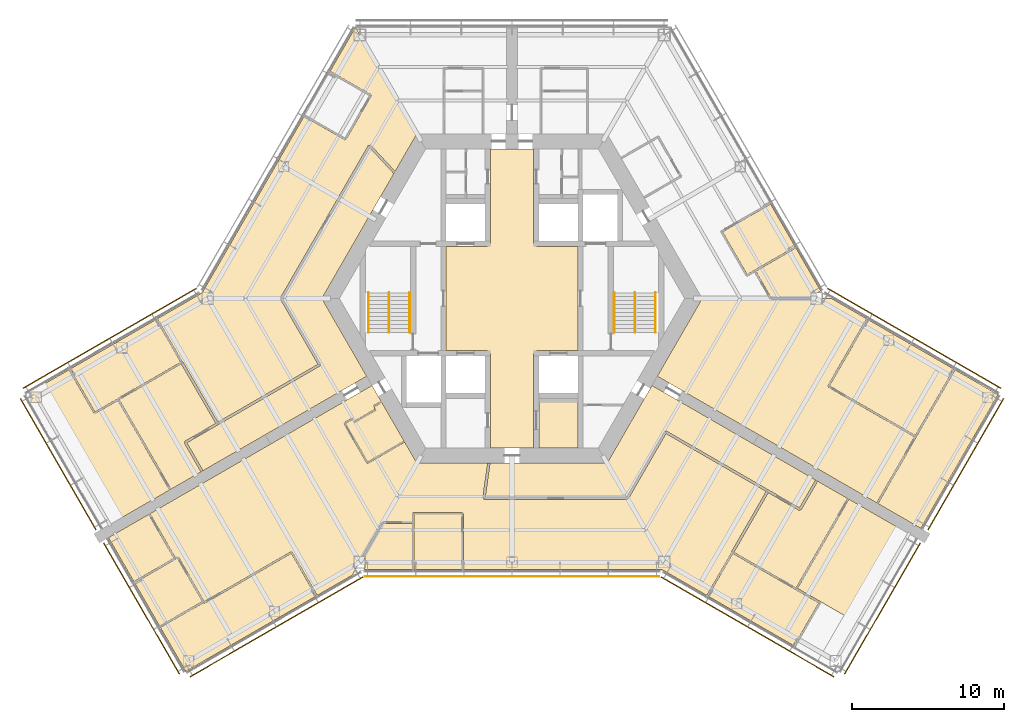
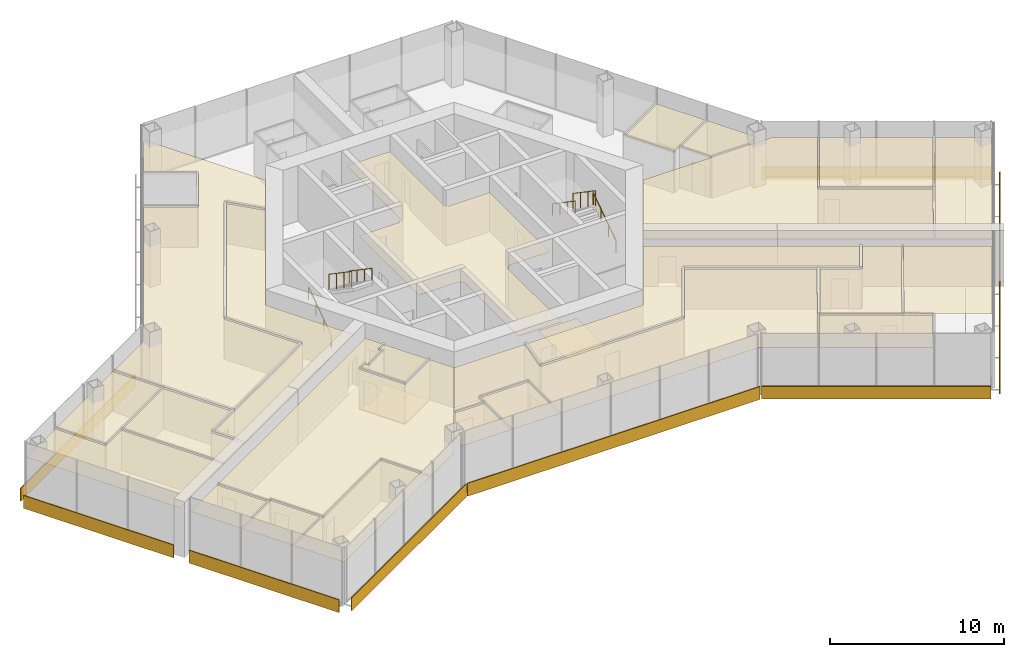
# One storey, part 17 of 18: 25 coverings, 9 shading devices, 6 railings.
"""IFC4 building model written with IfcOpenShell, lengths in metres."""

import ifcopenshell
import ifcopenshell.guid

model = None  # the IFC model being written
_history = None  # IfcOwnerHistory: only IFC2X3 demands one
_inside = {}  # id of a spatial element -> (the spatial element, [elements in it])
_under = {}  # id of a project, library or spatial element -> (it, [spatial elements below it])
_declared = {}  # id of a project -> (the project, [libraries it declares])
_typed = {}  # id of a type object -> (the type object, [elements of that type])
_made_of = {}  # id of a material, layer set ... -> (it, [elements and type objects made of it])


def new_model(schema):
    """Start an empty IFC model of exactly this schema.

    Asked for "IFC4X3", IfcOpenShell would pick the latest addendum, in which some entities
    have other attributes; the version numbers below select the first issue.
    IFC2X3 requires an IfcOwnerHistory on every rooted entity: one is made here for all.
    """
    global model, _history
    if schema == "IFC4X3":
        model = ifcopenshell.file(schema_version=(4, 3, 0, 0))
    else:
        model = ifcopenshell.file(schema=schema)
    _inside.clear()
    _under.clear()
    _declared.clear()
    _typed.clear()
    _made_of.clear()
    _history = None
    if model.schema == "IFC2X3":
        org = make("IfcOrganization", Name="unknown")
        user = make(
            "IfcPersonAndOrganization",
            ThePerson=make("IfcPerson", FamilyName="unknown"),
            TheOrganization=org,
        )
        app = make(
            "IfcApplication",
            ApplicationDeveloper=org,
            Version="unknown",
            ApplicationFullName="unknown",
            ApplicationIdentifier="unknown",
        )
        _history = make(
            "IfcOwnerHistory",
            OwningUser=user,
            OwningApplication=app,
            ChangeAction="ADDED",
            CreationDate=0,
        )
    return model


def make(cls, **values):
    """One entity of the class cls with the attributes given. An attribute that is None is left unset."""
    return model.create_entity(
        cls, **{name: value for name, value in values.items() if value is not None}
    )


def rooted(cls, **values):
    """An entity with a GlobalId (a new one), such as an element, a storey or a relation."""
    return make(cls, GlobalId=ifcopenshell.guid.new(), OwnerHistory=_history, **values)


def si_unit(unit_type, name, prefix=None):
    """IfcSIUnit, for example si_unit("LENGTHUNIT", "METRE", prefix="MILLI")."""
    return make("IfcSIUnit", UnitType=unit_type, Prefix=prefix, Name=name)


def assignment(units):
    """IfcUnitAssignment: the units of a project."""
    return None if units is None else make("IfcUnitAssignment", Units=units)


def point(xyz):
    """IfcCartesianPoint."""
    return None if xyz is None else make("IfcCartesianPoint", Coordinates=xyz)


def direction(xyz):
    """IfcDirection."""
    return None if xyz is None else make("IfcDirection", DirectionRatios=xyz)


def frame(location, z_axis=None, x_axis=None):
    """IfcAxis2Placement3D, a coordinate frame: its origin and axes. An axis left out is left unset."""
    return make(
        "IfcAxis2Placement3D",
        Location=point(location),
        Axis=direction(z_axis),
        RefDirection=direction(x_axis),
    )


def frame_2d(location, x_axis=None):
    """IfcAxis2Placement2D, a coordinate frame in the plane: its origin and x axis."""
    return make(
        "IfcAxis2Placement2D", Location=point(location), RefDirection=direction(x_axis)
    )


def origin():
    """The frame at (0, 0, 0) with its axes left unset."""
    return frame((0.0, 0.0, 0.0))


def origin_2d():
    """The frame at (0, 0) in the plane with its x axis left unset."""
    return frame_2d((0.0, 0.0))


def place(relative_to, where):
    """IfcLocalPlacement: puts the frame where relative to a parent placement (None: the world)."""
    return make(
        "IfcLocalPlacement", PlacementRelTo=relative_to, RelativePlacement=where
    )


def context(
    kind, dimensions, precision=None, world=None, true_north=None, identifier=None
):
    """IfcGeometricRepresentationContext, for example the 3D "Model" context."""
    return make(
        "IfcGeometricRepresentationContext",
        ContextIdentifier=identifier,
        ContextType=kind,
        CoordinateSpaceDimension=dimensions,
        Precision=precision,
        WorldCoordinateSystem=world,
        TrueNorth=true_north,
    )


def subcontext(parent, identifier, kind, view, scale=None):
    """IfcGeometricRepresentationSubContext, for example "Body" below "Model"."""
    return make(
        "IfcGeometricRepresentationSubContext",
        ContextIdentifier=identifier,
        ContextType=kind,
        ParentContext=parent,
        TargetScale=scale,
        TargetView=view,
    )


def project(units=None, contexts=None):
    """IfcProject with its units and contexts."""
    return rooted(
        "IfcProject",
        Name="project",
        RepresentationContexts=contexts,
        UnitsInContext=assignment(units),
    )


def spatial(cls, under=None, at=None, **own):
    """A site, building, storey or space (cls), placed at a placement, below another one or the project."""
    s = rooted(cls, ObjectPlacement=at, **own)
    if under is not None:
        _under.setdefault(under.id(), (under, []))[1].append(s)
    return s


def polyline(points):
    """IfcPolyline through the points."""
    return make("IfcPolyline", Points=[point(p) for p in points])


def profile(cls, at=None, kind="AREA", **sizes):
    """A parametric profile (cls). Its sizes go by their IFC names, for example OverallWidth=200.0."""
    return make(cls, ProfileType=kind, Position=at, **sizes)


def rectangle(**sizes):
    """IfcRectangleProfileDef."""
    return profile("IfcRectangleProfileDef", **sizes)


def circle(**sizes):
    """IfcCircleProfileDef."""
    return profile("IfcCircleProfileDef", **sizes)


def outline(outer, holes=None, kind="AREA"):
    """IfcArbitraryClosedProfileDef: a profile drawn as a closed curve; with holes, ...WithVoids."""
    if holes is None:
        return make("IfcArbitraryClosedProfileDef", ProfileType=kind, OuterCurve=outer)
    return make(
        "IfcArbitraryProfileDefWithVoids",
        ProfileType=kind,
        OuterCurve=outer,
        InnerCurves=holes,
    )


def extrude(swept, where, along, depth):
    """IfcExtrudedAreaSolid: the profile swept, set in the frame where, extruded along a direction by depth."""
    return make(
        "IfcExtrudedAreaSolid",
        SweptArea=swept,
        Position=where,
        ExtrudedDirection=direction(along),
        Depth=depth,
    )


def shape(context_of_items, identifier, shape_type, items):
    """IfcShapeRepresentation: the items that make up one representation, for example the "Body"."""
    return make(
        "IfcShapeRepresentation",
        ContextOfItems=context_of_items,
        RepresentationIdentifier=identifier,
        RepresentationType=shape_type,
        Items=items,
    )


def material(Name=None, Category=None):
    """IfcMaterial."""
    return make("IfcMaterial", Name=Name, Category=Category)


def layer(
    of_material, thickness, ventilated=None, Name=None, Category=None, Priority=None
):
    """IfcMaterialLayer: one layer of a wall or slab, of a material (None: an air gap)."""
    return make(
        "IfcMaterialLayer",
        Material=of_material,
        LayerThickness=thickness,
        IsVentilated=ventilated,
        Name=Name,
        Category=Category,
        Priority=Priority,
    )


def layer_set(layers, Name=None):
    """IfcMaterialLayerSet."""
    return make("IfcMaterialLayerSet", MaterialLayers=layers, LayerSetName=Name)


def made_of(thing, what):
    """Note that an element or type object is made of a material, layer set ...; save() writes the relation."""
    if what is not None:
        _made_of.setdefault(what.id(), (what, []))[1].append(thing)
    return thing


def type_object(cls, material=None, **own):
    """A type object (cls), such as IfcWallType, which elements share."""
    return made_of(rooted(cls, **own), material)


def element(
    cls,
    number,
    at=None,
    inside=None,
    cuts=None,
    type_object=None,
    material=None,
    context=None,
    identifier="Body",
    shape_type=None,
    held_by="IfcProductDefinitionShape",
    body=None,
    shapes=None,
    **own,
):
    """One element of the class cls, such as IfcWall. Its Tag is "e" and its number.

    at: its placement. inside: the storey or other place that contains it. cuts: it is an
    opening in that element (IfcRelVoidsElement). A single representation is given by context,
    identifier, shape_type and body (its items); several are given by shapes. held_by: the class
    of the entity that holds the representations. save() writes the other relations.
    """
    e = rooted(cls, Tag="e%d" % number, ObjectPlacement=at, **own)
    if body is not None:
        shapes = [shape(context, identifier, shape_type, body)]
    if shapes is not None:
        e.Representation = make(held_by, Representations=shapes)
    if inside is not None:
        _inside.setdefault(inside.id(), (inside, []))[1].append(e)
    if cuts is not None:
        rooted(
            "IfcRelVoidsElement", RelatingBuildingElement=cuts, RelatedOpeningElement=e
        )
    if type_object is not None:
        _typed.setdefault(type_object.id(), (type_object, []))[1].append(e)
    return made_of(e, material)


def aggregate(whole, parts):
    """IfcRelAggregates: a whole, such as a stair, and the parts it consists of."""
    return rooted("IfcRelAggregates", RelatingObject=whole, RelatedObjects=parts)


def save(model, path):
    """Write the relations noted so far, then the file.

    IfcRelAggregates (storeys below a building ...), IfcRelContainedInSpatialStructure (elements
    in a storey), IfcRelDefinesByType, IfcRelAssociatesMaterial and IfcRelDeclares: one each for
    every whole, place, type object, material and project.
    """
    for whole, parts in _under.values():
        aggregate(whole, parts)
    for where, things in _inside.values():
        rooted(
            "IfcRelContainedInSpatialStructure",
            RelatedElements=things,
            RelatingStructure=where,
        )
    for kind, things in _typed.values():
        rooted("IfcRelDefinesByType", RelatedObjects=things, RelatingType=kind)
    for what, things in _made_of.values():
        rooted("IfcRelAssociatesMaterial", RelatedObjects=things, RelatingMaterial=what)
    for by, libraries in _declared.values():
        rooted("IfcRelDeclares", RelatingContext=by, RelatedDefinitions=libraries)
    model.write(path)


model = new_model("IFC4")

# Units and contexts
model_context = context("Model", 3, precision=1e-05, world=origin(), true_north=direction((0.0, 1.0)))
body_context = subcontext(model_context, "Body", "Model", "MODEL_VIEW")
ifc_project = project(units=[si_unit("LENGTHUNIT", "METRE"), si_unit("AREAUNIT", "SQUARE_METRE"), si_unit("VOLUMEUNIT", "CUBIC_METRE"), si_unit("PLANEANGLEUNIT", "RADIAN"), si_unit("MASSUNIT", "GRAM", prefix="KILO")], contexts=[model_context])

# Site, building, storey
site_placement = place(None, origin())
site = spatial("IfcSite", under=ifc_project, at=site_placement, CompositionType="ELEMENT")
building_placement = place(site_placement, origin())
building = spatial("IfcBuilding", under=site, at=building_placement, Name="Kasaneha Research Tower", CompositionType="ELEMENT")
storey_placement = place(building_placement, frame((0.0, 0.0, 195.5)))
storey = spatial("IfcBuildingStorey", under=building, at=storey_placement, Name="L49", CompositionType="ELEMENT", Elevation=195.5)

# Covering
ifc_material_1 = material(Name="Aluminium panel ceiling", Category="aluminium")
ifc_layer_1 = layer(ifc_material_1, 0.0400390625)
ifc_layer_set_1 = layer_set([ifc_layer_1], Name="Lift lobby ceiling 40")
covering_type_1 = type_object("IfcCoveringType", Name="Lift lobby ceiling 40", PredefinedType="CEILING", material=ifc_layer_set_1)
covering_1_placement = place(storey_placement, frame((0.0, 0.0, 2.699951171875)))
element("IfcCovering", 1, at=covering_1_placement, inside=storey, type_object=covering_type_1, Name="Ceiling L49-01", PredefinedType="CEILING", context=body_context, shape_type="SweptSolid", body=[
    extrude(outline(polyline([(1.425048828125, 9.824951171875), (1.425048828125, 3.60009765625), (1.60009765625, 3.60009765625), (1.60009765625, 3.425048828125), (4.324951171875, 3.425048828125), (4.324951171875, -3.425048828125), (1.60009765625, -3.425048828125), (1.60009765625, -3.60009765625), (1.425048828125, -3.60009765625), (1.425048828125, -9.824951171875), (-1.425048828125, -9.824951171875), (-1.425048828125, -3.60009765625), (-1.60009765625, -3.60009765625), (-1.60009765625, -3.425048828125), (-4.324951171875, -3.425048828125), (-4.324951171875, 3.425048828125), (-1.60009765625, 3.425048828125), (-1.60009765625, 3.60009765625), (-1.425048828125, 3.60009765625), (-1.425048828125, 9.824951171875), (1.425048828125, 9.824951171875)])), origin(), (0.0, 0.0, 1.0), 0.0400390625),
])

# Railings
ifc_material_2 = material(Name="Steel", Category="steel")
railing_type_1 = type_object("IfcRailingType", Name="Stair balustrade 1100", PredefinedType="GUARDRAIL", material=ifc_material_2)
for number, where, name in (
    (2, (8.074951171875, 0.375, 2.127197265625), "Stair 1 balustrade L49"),
    (3, (-8.074951171875, 0.375, 2.127197265625), "Stair 2 balustrade L49"),
):
    element("IfcRailing", number, at=place(storey_placement, frame(where)), inside=storey, type_object=railing_type_1, Name=name, PredefinedType="GUARDRAIL", context=body_context, shape_type="SweptSolid", body=[
        extrude(circle(Radius=0.02392578125, at=origin_2d()), frame((0.0, 0.0, 1.076171875), z_axis=(0.0, -0.826240473404, 0.563317565952), x_axis=(1.0, 0.0, 0.0)), (0.0, 0.0, 1.0), 3.14697265625),
        extrude(circle(Radius=0.02099609375, at=origin_2d()), origin(), (0.0, 0.0, 1.0), 1.052001953125),
        extrude(circle(Radius=0.02099609375, at=origin_2d()), frame((0.0, -0.86669921875, 0.5908203125)), (0.0, 0.0, 1.0), 1.052001953125),
        extrude(circle(Radius=0.02099609375, at=origin_2d()), frame((0.0, -1.7333984375, 1.181884765625)), (0.0, 0.0, 1.0), 1.052001953125),
        extrude(circle(Radius=0.02099609375, at=origin_2d()), frame((0.0, -2.60009765625, 1.772705078125)), (0.0, 0.0, 1.0), 1.052001953125),
    ])
ifc_material_3 = material(Name="Steel", Category="steel")
railing_type_2 = type_object("IfcRailingType", Name="Stair handrail 850", PredefinedType="HANDRAIL", material=ifc_material_3)
railing_1_placement = place(storey_placement, frame((9.425048828125, -2.22509765625, 0.17724609375)))
element("IfcRailing", 4, at=railing_1_placement, inside=storey, type_object=railing_type_2, Name="Stair 1 handrail L49", PredefinedType="HANDRAIL", context=body_context, shape_type="SweptSolid", body=[
    extrude(circle(Radius=0.02392578125, at=origin_2d()), frame((0.0, 0.0, 0.826171875), z_axis=(0.0, 0.826240473404, 0.563317565952), x_axis=(-1.0, 0.0, 0.0)), (0.0, 0.0, 1.0), 3.14697265625),
    extrude(circle(Radius=0.02099609375, at=origin_2d()), origin(), (0.0, 0.0, 1.0), 0.802001953125),
    extrude(circle(Radius=0.02099609375, at=origin_2d()), frame((0.0, 0.86669921875, 0.5908203125)), (0.0, 0.0, 1.0), 0.802001953125),
    extrude(circle(Radius=0.02099609375, at=origin_2d()), frame((0.0, 1.7333984375, 1.181884765625)), (0.0, 0.0, 1.0), 0.802001953125),
    extrude(circle(Radius=0.02099609375, at=origin_2d()), frame((0.0, 2.60009765625, 1.772705078125)), (0.0, 0.0, 1.0), 0.802001953125),
])
railing_2_placement = place(storey_placement, frame((6.72509765625, 0.375, 2.127197265625)))
element("IfcRailing", 5, at=railing_2_placement, inside=storey, type_object=railing_type_2, Name="Stair 1 handrail L49", PredefinedType="HANDRAIL", context=body_context, shape_type="SweptSolid", body=[
    extrude(circle(Radius=0.02392578125, at=origin_2d()), frame((0.0, 0.0, 0.826171875), z_axis=(0.0, -0.826240473404, 0.563317565952), x_axis=(1.0, 0.0, 0.0)), (0.0, 0.0, 1.0), 3.14697265625),
    extrude(circle(Radius=0.02099609375, at=origin_2d()), origin(), (0.0, 0.0, 1.0), 0.802001953125),
    extrude(circle(Radius=0.02099609375, at=origin_2d()), frame((0.0, -0.86669921875, 0.5908203125)), (0.0, 0.0, 1.0), 0.802001953125),
    extrude(circle(Radius=0.02099609375, at=origin_2d()), frame((0.0, -1.7333984375, 1.181884765625)), (0.0, 0.0, 1.0), 0.802001953125),
    extrude(circle(Radius=0.02099609375, at=origin_2d()), frame((0.0, -2.60009765625, 1.772705078125)), (0.0, 0.0, 1.0), 0.802001953125),
])
railing_3_placement = place(storey_placement, frame((-9.425048828125, -2.22509765625, 0.17724609375)))
element("IfcRailing", 6, at=railing_3_placement, inside=storey, type_object=railing_type_2, Name="Stair 2 handrail L49", PredefinedType="HANDRAIL", context=body_context, shape_type="SweptSolid", body=[
    extrude(circle(Radius=0.02392578125, at=origin_2d()), frame((0.0, 0.0, 0.826171875), z_axis=(0.0, 0.826240473404, 0.563317565952), x_axis=(-1.0, 0.0, 0.0)), (0.0, 0.0, 1.0), 3.14697265625),
    extrude(circle(Radius=0.02099609375, at=origin_2d()), origin(), (0.0, 0.0, 1.0), 0.802001953125),
    extrude(circle(Radius=0.02099609375, at=origin_2d()), frame((0.0, 0.86669921875, 0.5908203125)), (0.0, 0.0, 1.0), 0.802001953125),
    extrude(circle(Radius=0.02099609375, at=origin_2d()), frame((0.0, 1.7333984375, 1.181884765625)), (0.0, 0.0, 1.0), 0.802001953125),
    extrude(circle(Radius=0.02099609375, at=origin_2d()), frame((0.0, 2.60009765625, 1.772705078125)), (0.0, 0.0, 1.0), 0.802001953125),
])
railing_4_placement = place(storey_placement, frame((-6.72509765625, 0.375, 2.127197265625)))
element("IfcRailing", 7, at=railing_4_placement, inside=storey, type_object=railing_type_2, Name="Stair 2 handrail L49", PredefinedType="HANDRAIL", context=body_context, shape_type="SweptSolid", body=[
    extrude(circle(Radius=0.02392578125, at=origin_2d()), frame((0.0, 0.0, 0.826171875), z_axis=(0.0, -0.826240473404, 0.563317565952), x_axis=(1.0, 0.0, 0.0)), (0.0, 0.0, 1.0), 3.14697265625),
    extrude(circle(Radius=0.02099609375, at=origin_2d()), origin(), (0.0, 0.0, 1.0), 0.802001953125),
    extrude(circle(Radius=0.02099609375, at=origin_2d()), frame((0.0, -0.86669921875, 0.5908203125)), (0.0, 0.0, 1.0), 0.802001953125),
    extrude(circle(Radius=0.02099609375, at=origin_2d()), frame((0.0, -1.7333984375, 1.181884765625)), (0.0, 0.0, 1.0), 0.802001953125),
    extrude(circle(Radius=0.02099609375, at=origin_2d()), frame((0.0, -2.60009765625, 1.772705078125)), (0.0, 0.0, 1.0), 0.802001953125),
])

# Coverings
ifc_material_4 = material(Name="Gypsum ceiling board", Category="gypsum")
ifc_layer_2 = layer(ifc_material_4, 0.02001953125)
ifc_layer_set_2 = layer_set([ifc_layer_2], Name="Suspended ceiling 20")
covering_type_2 = type_object("IfcCoveringType", Name="Suspended ceiling 20", PredefinedType="CEILING", material=ifc_layer_set_2)
covering_2_placement = place(storey_placement, frame((0.0, 0.0, 2.800048828125)))
element("IfcCovering", 8, at=covering_2_placement, inside=storey, type_object=covering_type_2, Name="Ceiling L49-30", PredefinedType="CEILING", context=body_context, shape_type="SweptSolid", body=[
    extrude(outline(polyline([(18.63720703125, 3.360595703125), (18.619873046875, 3.3505859375), (18.5947265625, 3.393798828125), (15.923095703125, 1.851318359375), (15.923095703125, 1.851318359375), (15.451171875, 1.578857421875), (13.835693359375, 4.376953125), (16.99658203125, 6.201904296875), (18.63720703125, 3.360595703125)])), origin(), (0.0, 0.0, 1.0), 0.02001953125),
])
covering_3_placement = place(storey_placement, frame((0.0, 0.0, 2.800048828125)))
element("IfcCovering", 9, at=covering_3_placement, inside=storey, type_object=covering_type_2, Name="Ceiling L49-31", PredefinedType="CEILING", context=body_context, shape_type="SweptSolid", body=[
    extrude(outline(polyline([(16.997802734375, 0.0), (16.986328125, 0.02001953125), (17.029541015625, 0.044921875), (16.024658203125, 1.79443359375), (18.644775390625, 3.30712890625), (18.619873046875, 3.3505859375), (18.63720703125, 3.360595703125), (20.28759765625, 0.501708984375), (19.41845703125, 0.0), (16.997802734375, 0.0)])), origin(), (0.0, 0.0, 1.0), 0.02001953125),
])
covering_4_placement = place(storey_placement, frame((0.0, 0.0, 2.800048828125)))
element("IfcCovering", 10, at=covering_4_placement, inside=storey, type_object=covering_type_2, Name="Ceiling L49-36", PredefinedType="CEILING", context=body_context, shape_type="SweptSolid", body=[
    extrude(outline(polyline([(-9.5498046875, -5.109375), (-10.3291015625, -5.559326171875), (-10.3291015625, -5.559326171875), (-20.37109375, -11.357177734375), (-20.381103515625, -11.33984375), (-20.316162109375, -11.30224609375), (-21.36865234375, -9.479248046875), (-19.333984375, -8.3046875), (-19.333984375, -8.3046875), (-12.60400390625, -4.4189453125), (-12.6416015625, -4.35400390625), (-12.57666015625, -4.316650390625), (-15.06884765625, 0.0), (-9.345947265625, 9.912353515625), (-7.7890625, 8.24267578125), (-7.734130859375, 8.2939453125), (-7.719970703125, 8.278564453125), (-12.49951171875, 0.0), (-9.5498046875, -5.109375)])), origin(), (0.0, 0.0, 1.0), 0.02001953125),
])
covering_5_placement = place(storey_placement, frame((0.0, 0.0, 2.800048828125)))
element("IfcCovering", 11, at=covering_5_placement, inside=storey, type_object=covering_type_2, Name="Ceiling L49-37", PredefinedType="CEILING", context=body_context, shape_type="SweptSolid", body=[
    extrude(outline(polyline([(-29.075439453125, -4.661865234375), (-29.065185546875, -4.6796875), (-29.108642578125, -4.70458984375), (-27.46826171875, -7.544921875), (-27.425048828125, -7.52001953125), (-27.400146484375, -7.5634765625), (-25.89404296875, -6.69921875), (-22.5029296875, -12.56494140625), (-22.459716796875, -12.539794921875), (-22.44970703125, -12.55712890625), (-23.827392578125, -13.3525390625), (-26.866455078125, -15.107177734375), (-31.94189453125, -6.317138671875), (-29.075439453125, -4.661865234375)])), origin(), (0.0, 0.0, 1.0), 0.02001953125),
])
covering_6_placement = place(storey_placement, frame((0.0, 0.0, 2.800048828125)))
element("IfcCovering", 12, at=covering_6_placement, inside=storey, type_object=covering_type_2, Name="Ceiling L49-38", PredefinedType="CEILING", context=body_context, shape_type="SweptSolid", body=[
    extrude(outline(polyline([(-23.34228515625, -1.352294921875), (-23.332275390625, -1.36962890625), (-23.37548828125, -1.39453125), (-21.766845703125, -4.1904296875), (-25.903076171875, -6.583740234375), (-25.900634765625, -6.587890625), (-27.40673828125, -7.451904296875), (-29.02197265625, -4.654541015625), (-29.06494140625, -4.679443359375), (-29.074951171875, -4.662109375), (-23.34228515625, -1.352294921875)])), origin(), (0.0, 0.0, 1.0), 0.02001953125),
])
covering_7_placement = place(storey_placement, frame((0.0, 0.0, 2.800048828125)))
element("IfcCovering", 13, at=covering_7_placement, inside=storey, type_object=covering_type_2, Name="Ceiling L49-40", PredefinedType="CEILING", context=body_context, shape_type="SweptSolid", body=[
    extrude(outline(polyline([(-9.360595703125, 10.037841796875), (-9.360595703125, 10.037841796875), (-9.425048828125, 10.0751953125), (-15.220458984375, 0.03759765625), (-15.15576171875, 0.000244140625), (-15.156005859375, 0.000244140625), (-15.15576171875, -0.000244140625), (-15.220458984375, -0.03759765625), (-12.744140625, -4.32666015625), (-19.33544921875, -8.13232421875), (-21.62939453125, -4.16845703125), (-21.6552734375, -4.18359375), (-23.288818359375, -1.3447265625), (-23.331787109375, -1.369384765625), (-23.341796875, -1.35205078125), (-20.365966796875, 0.365966796875), (-13.64111328125, 12.01416015625), (-13.62353515625, 12.004150390625), (-13.6484375, 11.961181640625), (-10.981201171875, 10.421142578125), (-10.9560546875, 10.464599609375), (-10.912841796875, 10.439453125), (-9.247314453125, 13.32421875), (-9.290283203125, 13.34912109375), (-9.2900390625, 13.349365234375), (-9.29052734375, 13.349609375), (-9.265625, 13.392578125), (-11.9501953125, 14.9423828125), (-10.28857421875, 17.820556640625), (-6.249755859375, 10.824951171875), (-7.6806640625, 8.346435546875), (-9.305419921875, 10.0888671875), (-9.360107421875, 10.03759765625), (-9.3603515625, 10.03759765625), (-9.360595703125, 10.037841796875)])), origin(), (0.0, 0.0, 1.0), 0.02001953125),
])
covering_8_placement = place(storey_placement, frame((0.0, 0.0, 2.800048828125)))
element("IfcCovering", 14, at=covering_8_placement, inside=storey, type_object=covering_type_2, Name="Ceiling L49-41", PredefinedType="CEILING", context=body_context, shape_type="SweptSolid", body=[
    extrude(outline(polyline([(-22.44921875, -12.556884765625), (-22.459228515625, -12.53955078125), (-22.416259765625, -12.5146484375), (-25.809814453125, -6.64501953125), (-21.734130859375, -4.286865234375), (-19.46533203125, -8.207275390625), (-21.5087890625, -9.386962890625), (-21.47119140625, -9.451904296875), (-21.5361328125, -9.489501953125), (-20.446044921875, -11.377197265625), (-20.381591796875, -11.340087890625), (-20.37158203125, -11.357421875), (-22.44921875, -12.556884765625)])), origin(), (0.0, 0.0, 1.0), 0.02001953125),
])
covering_9_placement = place(storey_placement, frame((0.0, 0.0, 2.800048828125)))
element("IfcCovering", 15, at=covering_9_placement, inside=storey, type_object=covering_type_2, Name="Ceiling L49-42", PredefinedType="CEILING", context=body_context, shape_type="SweptSolid", body=[
    extrude(outline(polyline([(-10.35498046875, -8.11474609375), (-10.35498046875, -8.11474609375), (-10.330078125, -8.157958984375), (-8.9443359375, -7.35791015625), (-8.994384765625, -7.271240234375), (-8.994384765625, -7.271240234375), (-9.09423828125, -7.09814453125), (-9.09423828125, -7.09814453125), (-9.0693359375, -7.141357421875), (-8.56689453125, -6.851318359375), (-8.592041015625, -6.80810546875), (-8.57470703125, -6.798095703125), (-7.07470703125, -9.396240234375), (-7.092041015625, -9.40625), (-7.116943359375, -9.36279296875), (-9.481201171875, -10.727783203125), (-10.931396484375, -8.21630859375), (-10.455078125, -7.94140625), (-10.35498046875, -8.11474609375)])), origin(), (0.0, 0.0, 1.0), 0.02001953125),
])
covering_10_placement = place(storey_placement, frame((0.0, 0.0, 2.800048828125)))
element("IfcCovering", 16, at=covering_10_placement, inside=storey, type_object=covering_type_2, Name="Ceiling L49-43", PredefinedType="CEILING", context=body_context, shape_type="SweptSolid", body=[
    extrude(outline(polyline([(-19.11962890625, -21.9052734375), (-18.574951171875, -22.84912109375), (-21.441162109375, -24.50390625), (-23.108154296875, -21.617431640625), (-20.247314453125, -19.970947265625), (-20.2724609375, -19.927001953125), (-20.233154296875, -19.994384765625), (-20.22509765625, -19.99072265625), (-20.199951171875, -20.033935546875), (-14.510498046875, -16.749267578125), (-12.885498046875, -19.563720703125), (-18.574951171875, -22.8486328125), (-19.11962890625, -21.9052734375)])), origin(), (0.0, 0.0, 1.0), 0.02001953125),
])
covering_11_placement = place(storey_placement, frame((0.0, 0.0, 2.800048828125)))
element("IfcCovering", 17, at=covering_11_placement, inside=storey, type_object=covering_type_2, Name="Ceiling L49-44", PredefinedType="CEILING", context=body_context, shape_type="SweptSolid", body=[
    extrude(outline(polyline([(-24.7998046875, -18.686767578125), (-22.110595703125, -17.13427734375), (-22.1357421875, -17.091064453125), (-22.1005859375, -17.07080078125), (-22.1005859375, -17.07080078125), (-22.010009765625, -17.018310546875), (-20.344482421875, -19.911376953125), (-23.15771484375, -21.530517578125), (-24.7998046875, -18.686767578125)])), origin(), (0.0, 0.0, 1.0), 0.02001953125),
])
covering_12_placement = place(storey_placement, frame((0.0, 0.0, 2.800048828125)))
element("IfcCovering", 18, at=covering_12_placement, inside=storey, type_object=covering_type_2, Name="Ceiling L49-45", PredefinedType="CEILING", context=body_context, shape_type="SweptSolid", body=[
    extrude(outline(polyline([(-23.83154296875, -14.163330078125), (-23.82177734375, -14.1806640625), (-23.864990234375, -14.20556640625), (-22.212158203125, -17.077392578125), (-24.849609375, -18.60009765625), (-26.516357421875, -15.71337890625), (-23.83154296875, -14.163330078125)])), origin(), (0.0, 0.0, 1.0), 0.02001953125),
])
covering_13_placement = place(storey_placement, frame((0.0, 0.0, 2.800048828125)))
element("IfcCovering", 19, at=covering_13_placement, inside=storey, type_object=covering_type_2, Name="Ceiling L49-46", PredefinedType="CEILING", context=body_context, shape_type="SweptSolid", body=[
    extrude(outline(polyline([(-9.19970703125, -5.715576171875), (-8.574951171875, -6.797607421875), (-8.59228515625, -6.8076171875), (-8.616943359375, -6.764892578125), (-9.119384765625, -7.0546875), (-9.094482421875, -7.09765625), (-9.0947265625, -7.097900390625), (-8.99462890625, -7.271484375), (-10.379638671875, -8.071044921875), (-10.47998046875, -7.897705078125), (-10.480224609375, -7.897705078125), (-10.5048828125, -7.854736328125), (-11.024658203125, -8.15478515625), (-10.999755859375, -8.19775390625), (-11.0, -8.197998046875), (-11.0, -8.1982421875), (-11.04296875, -8.22314453125), (-9.54296875, -10.8212890625), (-9.5, -10.79638671875), (-9.5, -10.796630859375), (-9.49951171875, -10.79638671875), (-9.474609375, -10.839599609375), (-7.06689453125, -9.449462890625), (-7.091796875, -9.40673828125), (-7.074462890625, -9.396728515625), (-6.249755859375, -10.824951171875), (-8.469970703125, -14.67041015625), (-8.4755859375, -14.67041015625), (-8.475830078125, -14.680419921875), (-10.5, -18.1865234375), (-12.798828125, -19.513916015625), (-14.448974609375, -16.656005859375), (-14.4921875, -16.680908203125), (-14.492431640625, -16.680419921875), (-14.492431640625, -16.680419921875), (-14.51708984375, -16.6376953125), (-20.25, -19.947509765625), (-20.2255859375, -19.989990234375), (-20.233154296875, -19.994384765625), (-20.274169921875, -19.923095703125), (-20.2353515625, -19.900634765625), (-21.923583984375, -16.968505859375), (-21.977294921875, -16.99951171875), (-22.100830078125, -17.0703125), (-23.7783203125, -14.15576171875), (-23.8212890625, -14.180419921875), (-23.831298828125, -14.1630859375), (-10.84521484375, -6.66552734375), (-10.84521484375, -6.66552734375), (-9.979248046875, -6.16552734375), (-9.979248046875, -6.16552734375), (-9.19970703125, -5.715576171875)])), origin(), (0.0, 0.0, 1.0), 0.02001953125),
])
covering_14_placement = place(storey_placement, frame((0.0, 0.0, 2.800048828125)))
element("IfcCovering", 20, at=covering_14_placement, inside=storey, type_object=covering_type_2, Name="Ceiling L49-47", PredefinedType="CEILING", context=body_context, shape_type="SweptSolid", body=[
    extrude(outline(polyline([(29.03173828125, -4.63720703125), (26.50390625, -9.00439453125), (20.860595703125, -5.750732421875), (23.37548828125, -1.39453125), (23.332275390625, -1.36962890625), (23.34228515625, -1.352294921875), (29.03173828125, -4.63720703125)])), origin(), (0.0, 0.0, 1.0), 0.02001953125),
])
covering_15_placement = place(storey_placement, frame((0.0, 0.0, 2.800048828125)))
element("IfcCovering", 21, at=covering_15_placement, inside=storey, type_object=covering_type_2, Name="Ceiling L49-48", PredefinedType="CEILING", context=body_context, shape_type="SweptSolid", body=[
    extrude(outline(polyline([(24.007568359375, -13.45654296875), (24.017578125, -13.439208984375), (24.06103515625, -13.464111328125), (26.56982421875, -9.10009765625), (26.5654296875, -9.09765625), (29.11865234375, -4.686767578125), (31.94189453125, -6.317138671875), (26.866455078125, -15.107177734375), (26.86328125, -15.10546875), (24.007568359375, -13.45654296875)])), origin(), (0.0, 0.0, 1.0), 0.02001953125),
])
covering_16_placement = place(storey_placement, frame((0.0, 0.0, 2.800048828125)))
element("IfcCovering", 22, at=covering_16_placement, inside=storey, type_object=covering_type_2, Name="Ceiling L49-49", PredefinedType="CEILING", context=body_context, shape_type="SweptSolid", body=[
    extrude(outline(polyline([(9.5498046875, -5.109375), (12.49951171875, 0.0), (16.93994140625, 0.0), (16.94287109375, -0.0048828125), (16.951416015625, 0.0), (21.0, 0.0), (23.341796875, -1.35205078125), (23.331787109375, -1.369384765625), (23.288818359375, -1.344482421875), (20.748779296875, -5.743896484375), (20.7919921875, -5.768798828125), (20.791748046875, -5.769287109375), (20.7919921875, -5.769287109375), (20.767333984375, -5.812255859375), (26.458251953125, -9.093505859375), (23.974365234375, -13.414306640625), (24.017578125, -13.439208984375), (24.007568359375, -13.45654296875), (15.246826171875, -8.398681640625), (10.3291015625, -5.559326171875), (10.3291015625, -5.559326171875), (9.5498046875, -5.109375)])), origin(), (0.0, 0.0, 1.0), 0.02001953125),
])
covering_17_placement = place(storey_placement, frame((0.0, 0.0, 2.800048828125)))
element("IfcCovering", 23, at=covering_17_placement, inside=storey, type_object=covering_type_2, Name="Ceiling L49-50", PredefinedType="CEILING", context=body_context, shape_type="SweptSolid", body=[
    extrude(outline(polyline([(10.091552734375, -8.77099609375), (10.026611328125, -8.7333984375), (7.534423828125, -13.050048828125), (-1.75830078125, -13.050048828125), (-1.449951171875, -10.85546875), (-1.524169921875, -10.844970703125), (-1.521240234375, -10.824951171875), (6.249755859375, -10.824951171875), (9.19970703125, -5.715576171875), (9.979248046875, -6.16552734375), (9.979248046875, -6.16552734375), (10.84521484375, -6.66552734375), (10.84521484375, -6.66552734375), (20.021240234375, -11.96337890625), (20.01123046875, -11.980712890625), (19.9462890625, -11.943115234375), (18.893798828125, -13.76611328125), (16.850341796875, -12.58642578125), (16.850341796875, -12.58642578125), (10.129150390625, -8.7060546875), (10.091552734375, -8.77099609375), (10.091552734375, -8.770751953125), (10.091552734375, -8.77099609375)])), origin(), (0.0, 0.0, 1.0), 0.02001953125),
])
covering_18_placement = place(storey_placement, frame((0.0, 0.0, 2.800048828125)))
element("IfcCovering", 24, at=covering_18_placement, inside=storey, type_object=covering_type_2, Name="Ceiling L49-51", PredefinedType="CEILING", context=body_context, shape_type="SweptSolid", body=[
    extrude(outline(polyline([(18.762939453125, -19.050537109375), (22.1328125, -13.20556640625), (22.089599609375, -13.1806640625), (22.099609375, -13.163330078125), (26.516357421875, -15.71337890625), (23.133056640625, -21.573486328125), (18.762939453125, -19.050537109375)])), origin(), (0.0, 0.0, 1.0), 0.02001953125),
])
covering_19_placement = place(storey_placement, frame((0.0, 0.0, 2.800048828125)))
element("IfcCovering", 25, at=covering_19_placement, inside=storey, type_object=covering_type_2, Name="Ceiling L49-52", PredefinedType="CEILING", context=body_context, shape_type="SweptSolid", body=[
    extrude(outline(polyline([(-6.492919921875, -17.820556640625), (-6.492919921875, -17.800537109375), (-6.44287109375, -17.800537109375), (-6.44287109375, -14.72509765625), (-6.44287109375, -14.715576171875), (-6.44287109375, -14.17041015625), (-3.29638671875, -14.17041015625), (-3.29638671875, -17.800537109375), (-3.246337890625, -17.800537109375), (-3.246337890625, -17.820556640625), (-6.492919921875, -17.820556640625)])), origin(), (0.0, 0.0, 1.0), 0.02001953125),
])
covering_20_placement = place(storey_placement, frame((0.0, 0.0, 2.800048828125)))
element("IfcCovering", 26, at=covering_20_placement, inside=storey, type_object=covering_type_2, Name="Ceiling L49-53", PredefinedType="CEILING", context=body_context, shape_type="SweptSolid", body=[
    extrude(outline(polyline([(12.885498046875, -19.563720703125), (14.512451171875, -16.75537109375), (18.653076171875, -19.140869140625), (18.655517578125, -19.13671875), (20.15673828125, -20.0087890625), (18.531982421875, -22.82373046875), (12.885498046875, -19.563720703125)])), origin(), (0.0, 0.0, 1.0), 0.02001953125),
])
covering_21_placement = place(storey_placement, frame((0.0, 0.0, 2.800048828125)))
element("IfcCovering", 27, at=covering_21_placement, inside=storey, type_object=covering_type_2, Name="Ceiling L49-54", PredefinedType="CEILING", context=body_context, shape_type="SweptSolid", body=[
    extrude(outline(polyline([(-9.709228515625, -16.81689453125), (-8.498779296875, -14.720458984375), (-8.475830078125, -14.720458984375), (-8.475830078125, -14.7705078125), (-6.542724609375, -14.77490234375), (-6.542724609375, -17.800537109375), (-6.492919921875, -17.800537109375), (-6.492919921875, -17.820556640625), (-9.709228515625, -17.820556640625), (-9.709228515625, -16.81689453125)])), origin(), (0.0, 0.0, 1.0), 0.02001953125),
])
covering_22_placement = place(storey_placement, frame((0.0, 0.0, 2.800048828125)))
element("IfcCovering", 28, at=covering_22_placement, inside=storey, type_object=covering_type_2, Name="Ceiling L49-55", PredefinedType="CEILING", context=body_context, shape_type="SweptSolid", body=[
    extrude(outline(polyline([(-3.246337890625, -14.1201171875), (-3.246337890625, -14.070556640625), (-6.492919921875, -14.070556640625), (-6.492919921875, -14.1201171875), (-6.492919921875, -14.1201171875), (-6.492919921875, -14.12060546875), (-6.542724609375, -14.12060546875), (-6.542724609375, -14.6748046875), (-8.469970703125, -14.67041015625), (-6.249755859375, -10.824951171875), (-1.52197265625, -10.824951171875), (-1.524658203125, -10.844970703125), (-1.598388671875, -10.83447265625), (-1.9189453125, -13.114501953125), (-1.8447265625, -13.125), (-1.8447265625, -13.12548828125), (-1.844482421875, -13.12548828125), (-1.844482421875, -13.199951171875), (7.57763671875, -13.199951171875), (7.57763671875, -13.12548828125), (7.577880859375, -13.12548828125), (7.577880859375, -13.125244140625), (7.642578125, -13.16259765625), (10.119140625, -8.873291015625), (16.71044921875, -12.678955078125), (14.4248046875, -16.647216796875), (14.45068359375, -16.662353515625), (12.798828125, -19.513916015625), (9.865966796875, -17.820556640625), (-3.245849609375, -17.820556640625), (-3.245849609375, -17.800537109375), (-3.1962890625, -17.800537109375), (-3.1962890625, -14.12060546875), (-3.24609375, -14.12060546875), (-3.24609375, -14.1201171875), (-3.246337890625, -14.1201171875)])), origin(), (0.0, 0.0, 1.0), 0.02001953125),
])
covering_23_placement = place(storey_placement, frame((0.0, 0.0, 2.800048828125)))
element("IfcCovering", 29, at=covering_23_placement, inside=storey, type_object=covering_type_2, Name="Ceiling L49-56", PredefinedType="CEILING", context=body_context, shape_type="SweptSolid", body=[
    extrude(outline(polyline([(22.09912109375, -13.1630859375), (22.089111328125, -13.180419921875), (22.04638671875, -13.15576171875), (18.65966796875, -19.029296875), (14.57958984375, -16.6787109375), (16.84033203125, -12.75390625), (18.8837890625, -13.93359375), (18.921142578125, -13.86865234375), (18.986083984375, -13.906005859375), (20.076171875, -12.018310546875), (20.011474609375, -11.98095703125), (20.021484375, -11.963623046875), (22.09912109375, -13.1630859375)])), origin(), (0.0, 0.0, 1.0), 0.02001953125),
])

# Shading devices
ifc_material_5 = material(Name="Terracotta", Category="masonry")
ifc_layer_3 = layer(ifc_material_5, 0.06005859375)
ifc_layer_set_3 = layer_set([ifc_layer_3], Name="Terracotta baguette screen")
shading_device_type = type_object("IfcShadingDeviceType", Name="Terracotta baguette screen", PredefinedType="USERDEFINED", material=ifc_layer_set_3)
shading_device_1_placement = place(storey_placement, frame((0.0, -18.2705078125, -0.449951171875), z_axis=(0.0, 0.0, 1.0), x_axis=(1.0, 0.0, 0.0)))
element("IfcShadingDevice", 30, at=shading_device_1_placement, inside=storey, type_object=shading_device_type, Name="Baguette screen L49 01", ObjectType="TERRACOTTA BAGUETTE SCREEN", PredefinedType="USERDEFINED", context=body_context, shape_type="SweptSolid", body=[
    extrude(rectangle(XDim=19.37841796875, YDim=0.06005859375, at=origin_2d()), origin(), (0.0, 0.0, 1.0), 0.89990234375),
])
shading_device_2_placement = place(storey_placement, frame((15.483642578125, -21.58349609375, -0.449951171875), z_axis=(0.0, 0.0, 1.0), x_axis=(0.866025411464, -0.499999986699, 0.0)))
element("IfcShadingDevice", 31, at=shading_device_2_placement, inside=storey, type_object=shading_device_type, Name="Baguette screen L49 02", ObjectType="TERRACOTTA BAGUETTE SCREEN", PredefinedType="USERDEFINED", context=body_context, shape_type="SweptSolid", body=[
    extrude(rectangle(XDim=13.13916015625, YDim=0.06005859375, at=origin_2d()), origin(), (0.0, 0.0, 1.0), 0.89990234375),
])
for number, where, z_axis, x_axis, name in (
    (32, (24.343505859375, -20.376708984375, -0.449951171875), (0.0, 0.0, 1.0), (0.500000011442, 0.866025397178, 0.0), "Baguette screen L49 03"),
    (33, (29.818603515625, -10.893798828125, -0.449951171875), (0.0, 0.0, 1.0), (0.500000011442, 0.866025397178, 0.0), "Baguette screen L49 04"),
):
    element("IfcShadingDevice", number, at=place(storey_placement, frame(where, z_axis=z_axis, x_axis=x_axis)), inside=storey, type_object=shading_device_type, Name=name, ObjectType="TERRACOTTA BAGUETTE SCREEN", PredefinedType="USERDEFINED", context=body_context, shape_type="SweptSolid", body=[
        extrude(rectangle(XDim=9.949951171875, YDim=0.06005859375, at=origin_2d()), origin(), (0.0, 0.0, 1.0), 0.89990234375),
    ])
for number, where, z_axis, x_axis, name in (
    (34, (26.43359375, -2.617431640625, -0.449951171875), (0.0, 0.0, 1.0), (-0.866025411464, 0.499999986699, 0.0), "Baguette screen L49 05"),
    (35, (-26.43359375, -2.617431640625, -0.449951171875), (0.0, 0.0, 1.0), (-0.866025411464, -0.499999986699, 0.0), "Baguette screen L49 09"),
):
    element("IfcShadingDevice", number, at=place(storey_placement, frame(where, z_axis=z_axis, x_axis=x_axis)), inside=storey, type_object=shading_device_type, Name=name, ObjectType="TERRACOTTA BAGUETTE SCREEN", PredefinedType="USERDEFINED", context=body_context, shape_type="SweptSolid", body=[
        extrude(rectangle(XDim=13.13916015625, YDim=0.06005859375, at=origin_2d()), origin(), (0.0, 0.0, 1.0), 0.89990234375),
    ])
for number, where, z_axis, x_axis, name in (
    (36, (-29.818603515625, -10.893798828125, -0.449951171875), (0.0, 0.0, 1.0), (0.500000011442, -0.866025397178, 0.0), "Baguette screen L49 10"),
    (37, (-24.343505859375, -20.376708984375, -0.449951171875), (0.0, 0.0, 1.0), (0.500000011442, -0.866025397178, 0.0), "Baguette screen L49 11"),
):
    element("IfcShadingDevice", number, at=place(storey_placement, frame(where, z_axis=z_axis, x_axis=x_axis)), inside=storey, type_object=shading_device_type, Name=name, ObjectType="TERRACOTTA BAGUETTE SCREEN", PredefinedType="USERDEFINED", context=body_context, shape_type="SweptSolid", body=[
        extrude(rectangle(XDim=9.949951171875, YDim=0.06005859375, at=origin_2d()), origin(), (0.0, 0.0, 1.0), 0.89990234375),
    ])
shading_device_3_placement = place(storey_placement, frame((-15.483642578125, -21.58349609375, -0.449951171875), z_axis=(0.0, 0.0, 1.0), x_axis=(0.866025411464, 0.499999986699, 0.0)))
element("IfcShadingDevice", 38, at=shading_device_3_placement, inside=storey, type_object=shading_device_type, Name="Baguette screen L49 12", ObjectType="TERRACOTTA BAGUETTE SCREEN", PredefinedType="USERDEFINED", context=body_context, shape_type="SweptSolid", body=[
    extrude(rectangle(XDim=13.13916015625, YDim=0.06005859375, at=origin_2d()), origin(), (0.0, 0.0, 1.0), 0.89990234375),
])

# Coverings
ifc_material_6 = material(Name="Vinyl sheet flooring", Category="plastic")
ifc_layer_4 = layer(ifc_material_6, 0.0048828125)
ifc_layer_set_4 = layer_set([ifc_layer_4], Name="Wet room sheet flooring 5")
covering_type_3 = type_object("IfcCoveringType", Name="Wet room sheet flooring 5", PredefinedType="FLOORING", material=ifc_layer_set_4)
covering_24_placement = place(storey_placement, origin())
element("IfcCovering", 39, at=covering_24_placement, inside=storey, type_object=covering_type_3, Name="Floor finish L49-13", PredefinedType="FLOORING", context=body_context, shape_type="SweptSolid", body=[
    extrude(outline(polyline([(1.77490234375, -9.824951171875), (1.77490234375, -6.574951171875), (4.324951171875, -6.574951171875), (4.324951171875, -9.824951171875), (1.77490234375, -9.824951171875)])), origin(), (0.0, 0.0, 1.0), 0.0048828125),
])
covering_25_placement = place(storey_placement, origin())
element("IfcCovering", 40, at=covering_25_placement, inside=storey, type_object=covering_type_3, Name="Floor finish L49-42", PredefinedType="FLOORING", context=body_context, shape_type="SweptSolid", body=[
    extrude(outline(polyline([(-10.99951171875, -8.1982421875), (-10.47998046875, -7.898193359375), (-10.35498046875, -8.11474609375), (-8.96923828125, -7.314697265625), (-9.09423828125, -7.09814453125), (-8.57470703125, -6.798095703125), (-7.07470703125, -9.396240234375), (-9.49951171875, -10.796142578125), (-10.99951171875, -8.1982421875)])), origin(), (0.0, 0.0, 1.0), 0.0048828125),
])

save(model, "model.ifc")
